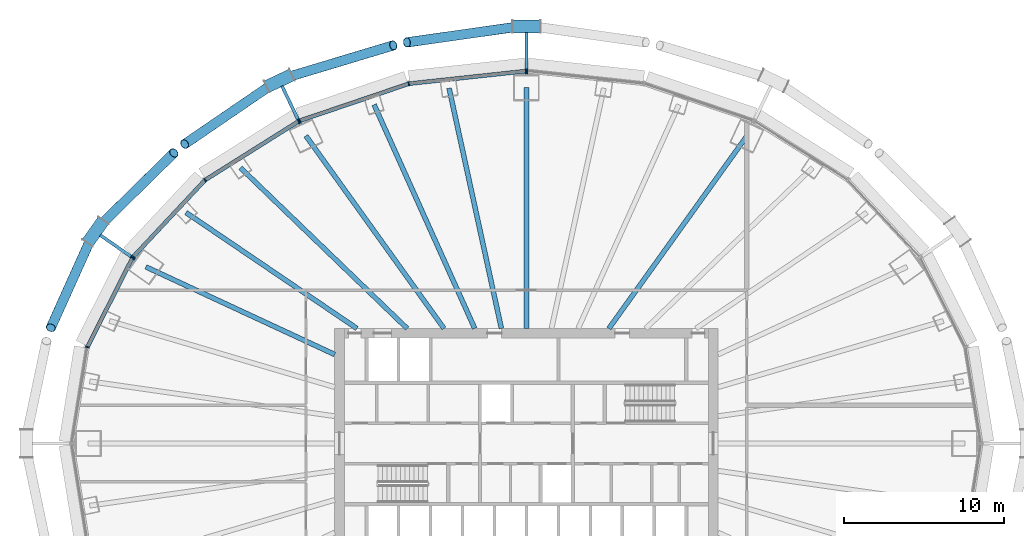
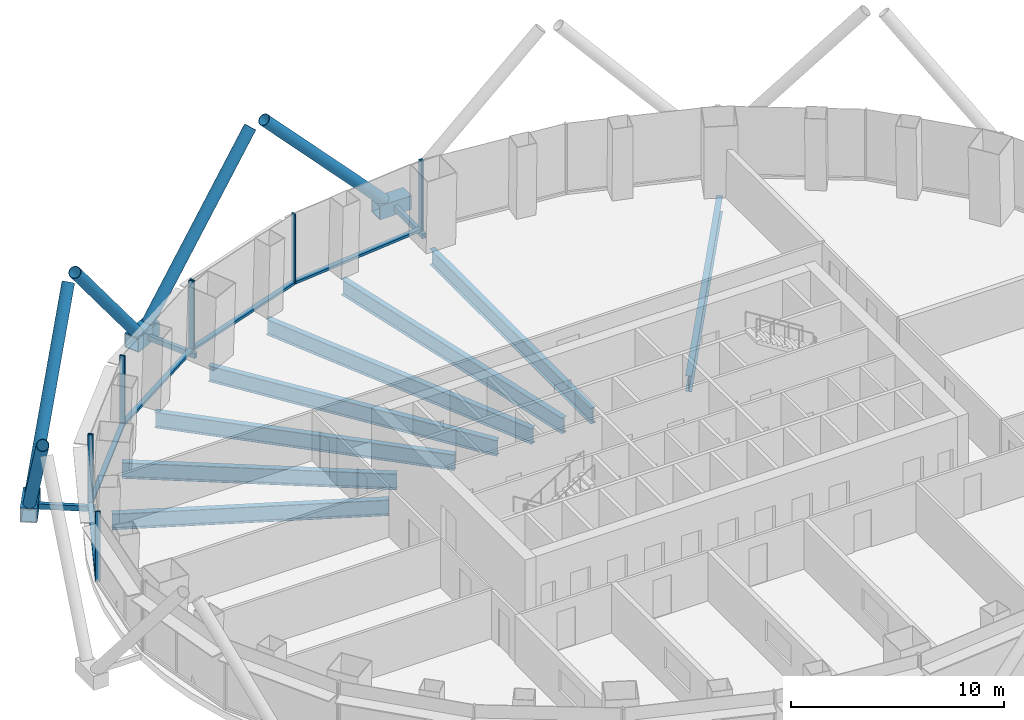
# One storey, part 4 of 16: 25 members, 8 beams, 4 elements without a shape of their own.
"""IFC4 building model written with IfcOpenShell, lengths in metres."""

from ifc_helpers import new_model, si_unit, direction, frame, origin, origin_2d, place, context, subcontext, project, spatial, rectangle, hollow_rectangle, hollow_circle, i_section, extrude, material, layer, layer_set, material_profile, profile_set, type_object, element, aggregate, save


model = new_model("IFC4")

# Units and contexts
model_context = context("Model", 3, precision=1e-05, world=origin(), true_north=direction((0.0, 1.0)))
body_context = subcontext(model_context, "Body", "Model", "MODEL_VIEW")
ifc_project = project(units=[si_unit("LENGTHUNIT", "METRE"), si_unit("AREAUNIT", "SQUARE_METRE"), si_unit("VOLUMEUNIT", "CUBIC_METRE"), si_unit("PLANEANGLEUNIT", "RADIAN"), si_unit("MASSUNIT", "GRAM", prefix="KILO")], contexts=[model_context])

# Site, building, storey
site_placement = place(None, origin())
site = spatial("IfcSite", under=ifc_project, at=site_placement, CompositionType="ELEMENT")
building_placement = place(site_placement, origin())
building = spatial("IfcBuilding", under=site, at=building_placement, Name="Siaravel Broadcast Tower", CompositionType="ELEMENT")
storey_placement = place(building_placement, frame((0.0, 0.0, 28.699951171875)))
storey = spatial("IfcBuildingStorey", under=building, at=storey_placement, Name="L05", CompositionType="ELEMENT", Elevation=28.699951171875)

# Beams
ifc_material_1 = material(Name="Steel S355", Category="steel")
ifc_material_profile_1 = material_profile(ifc_material_1, i_section(OverallWidth=0.30322265625, OverallDepth=0.903076171875, WebThickness=0.01513671875, FlangeThickness=0.020263671875, FilletRadius=0.01904296875, at=origin_2d()))
ifc_profile_set_1 = profile_set([ifc_material_profile_1], Name="Steel S355")
beam_type = type_object("IfcBeamType", Name="BM-UB 914x305x201", PredefinedType="BEAM", material=ifc_profile_set_1)
beam_1_placement = place(storey_placement, frame((13.80419921875, 19.25732421875, -0.8515625), z_axis=(-0.582605738, -0.812754917, 0.0), x_axis=(0.812754917, -0.582605738, 0.0)))
element("IfcBeam", 1, at=beam_1_placement, inside=storey, type_object=beam_type, Name="Radial beam RB07", PredefinedType="BEAM", context=body_context, shape_type="SweptSolid", body=[
    extrude(i_section(OverallWidth=0.30322265625, OverallDepth=0.903076171875, WebThickness=0.01513671875, FlangeThickness=0.020263671875, FilletRadius=0.01904296875, at=origin_2d()), origin(), (0.0, 0.0, 1.0), 14.835205078125),
])
beam_2_placement = place(storey_placement, frame((0.0, 22.284912109375, -0.8515625), z_axis=(0.0, -1.0, 0.0), x_axis=(1.0, 0.0, 0.0)))
element("IfcBeam", 2, at=beam_2_placement, inside=storey, type_object=beam_type, Name="Radial beam RB10", PredefinedType="BEAM", context=body_context, shape_type="SweptSolid", body=[
    extrude(i_section(OverallWidth=0.30322265625, OverallDepth=0.903076171875, WebThickness=0.01513671875, FlangeThickness=0.020263671875, FilletRadius=0.01904296875, at=origin_2d()), origin(), (0.0, 0.0, 1.0), 15.0849609375),
])
beam_3_placement = place(storey_placement, frame((-4.843017578125, 22.23779296875, -0.8515625), z_axis=(0.212789875, -0.977097983, 0.0), x_axis=(0.977097983, 0.212789875, 0.0)))
element("IfcBeam", 3, at=beam_3_placement, inside=storey, type_object=beam_type, Name="Radial beam RB11", PredefinedType="BEAM", context=body_context, shape_type="SweptSolid", body=[
    extrude(i_section(OverallWidth=0.30322265625, OverallDepth=0.903076171875, WebThickness=0.01513671875, FlangeThickness=0.020263671875, FilletRadius=0.01904296875, at=origin_2d()), origin(), (0.0, 0.0, 1.0), 15.390380859375),
])
beam_4_placement = place(storey_placement, frame((-9.535888671875, 21.2080078125, -0.8515625), z_axis=(0.41009169, -0.9120443, 0.0), x_axis=(0.9120443, 0.41009169, 0.0)))
element("IfcBeam", 4, at=beam_4_placement, inside=storey, type_object=beam_type, Name="Radial beam RB12", PredefinedType="BEAM", context=body_context, shape_type="SweptSolid", body=[
    extrude(i_section(OverallWidth=0.30322265625, OverallDepth=0.903076171875, WebThickness=0.01513671875, FlangeThickness=0.020263671875, FilletRadius=0.01904296875, at=origin_2d()), origin(), (0.0, 0.0, 1.0), 15.35888671875),
])
beam_5_placement = place(storey_placement, frame((-13.80419921875, 19.25732421875, -0.8515625), z_axis=(0.582605738, -0.812754917, 0.0), x_axis=(0.812754917, 0.582605738, 0.0)))
element("IfcBeam", 5, at=beam_5_placement, inside=storey, type_object=beam_type, Name="Radial beam RB13", PredefinedType="BEAM", context=body_context, shape_type="SweptSolid", body=[
    extrude(i_section(OverallWidth=0.30322265625, OverallDepth=0.903076171875, WebThickness=0.01513671875, FlangeThickness=0.020263671875, FilletRadius=0.01904296875, at=origin_2d()), origin(), (0.0, 0.0, 1.0), 14.835205078125),
])
beam_6_placement = place(storey_placement, frame((-17.897705078125, 17.25439453125, -0.8515625), z_axis=(0.719923086, -0.694053852, 0.0), x_axis=(0.694053852, 0.719923086, 0.0)))
element("IfcBeam", 6, at=beam_6_placement, inside=storey, type_object=beam_type, Name="Radial beam RB14", PredefinedType="BEAM", context=body_context, shape_type="SweptSolid", body=[
    extrude(i_section(OverallWidth=0.30322265625, OverallDepth=0.903076171875, WebThickness=0.01513671875, FlangeThickness=0.020263671875, FilletRadius=0.01904296875, at=origin_2d()), origin(), (0.0, 0.0, 1.0), 14.486572265625),
])
beam_7_placement = place(storey_placement, frame((-21.310791015625, 14.458984375, -0.8515625), z_axis=(0.827505228, -0.561458011, 0.0), x_axis=(0.561458011, 0.827505228, 0.0)))
element("IfcBeam", 7, at=beam_7_placement, inside=storey, type_object=beam_type, Name="Radial beam RB15", PredefinedType="BEAM", context=body_context, shape_type="SweptSolid", body=[
    extrude(i_section(OverallWidth=0.30322265625, OverallDepth=0.903076171875, WebThickness=0.01513671875, FlangeThickness=0.020263671875, FilletRadius=0.01904296875, at=origin_2d()), origin(), (0.0, 0.0, 1.0), 12.928955078125),
])
beam_8_placement = place(storey_placement, frame((-23.824951171875, 11.05859375, -0.8515625), z_axis=(0.907056733, -0.421008412, 0.0), x_axis=(0.421008412, 0.907056733, 0.0)))
element("IfcBeam", 8, at=beam_8_placement, inside=storey, type_object=beam_type, Name="Radial beam RB16", PredefinedType="BEAM", context=body_context, shape_type="SweptSolid", body=[
    extrude(i_section(OverallWidth=0.30322265625, OverallDepth=0.903076171875, WebThickness=0.01513671875, FlangeThickness=0.020263671875, FilletRadius=0.01904296875, at=origin_2d()), origin(), (0.0, 0.0, 1.0), 13.03662109375),
])

# Curtain wall, member
ifc_material_2 = material(Name="Aluminium 6063-T6", Category="aluminium")
ifc_layer = layer(ifc_material_2, 0.25)
ifc_layer_set = layer_set([ifc_layer], Name="Aluminium 6063-T6")
curtain_wall_type = type_object("IfcCurtainWallType", Name="Podium newsroom glazing", PredefinedType="NOTDEFINED", material=ifc_layer_set)
curtain_wall_1_placement = place(storey_placement, origin())
curtain_wall_1 = element("IfcCurtainWall", 9, at=curtain_wall_1_placement, inside=storey, type_object=curtain_wall_type, Name="L05 Podium newsroom glazing 03", PredefinedType="NOTDEFINED")
ifc_material_profile_2 = material_profile(ifc_material_2, rectangle(XDim=0.25, YDim=0.080078125, at=origin_2d()))
ifc_profile_set_2 = profile_set([ifc_material_profile_2], Name="Aluminium 6063-T6")
member_type_1 = type_object("IfcMemberType", Name="CW-PD mullion", PredefinedType="MULLION", material=ifc_profile_set_2)
member_1_placement = place(storey_placement, frame((0.039794921875, 23.311279296875, 0.0), z_axis=(0.0, 0.0, 1.0), x_axis=(-0.107217269, -0.994235615, 0.0)))
member_1 = element("IfcMember", 10, at=member_1_placement, type_object=member_type_1, Name="CW-PD mullion 3", PredefinedType="MULLION", context=body_context, shape_type="SweptSolid", body=[
    extrude(rectangle(XDim=0.25, YDim=0.080078125, at=origin_2d()), origin(), (0.0, 0.0, 1.0), 4.0),
])
aggregate(curtain_wall_1, [member_1])

# Curtain wall, members
curtain_wall_2_placement = place(storey_placement, origin())
curtain_wall_2 = element("IfcCurtainWall", 11, at=curtain_wall_2_placement, inside=storey, type_object=curtain_wall_type, Name="L05 Podium newsroom glazing 04", PredefinedType="NOTDEFINED")
member_2_placement = place(storey_placement, frame((-0.039794921875, 23.311279296875, 0.0), z_axis=(0.0, 0.0, 1.0), x_axis=(0.107217269, -0.994235615, 0.0)))
member_2 = element("IfcMember", 12, at=member_2_placement, type_object=member_type_1, Name="CW-PD mullion 1", PredefinedType="MULLION", context=body_context, shape_type="SweptSolid", body=[
    extrude(rectangle(XDim=0.25, YDim=0.080078125, at=origin_2d()), origin(), (0.0, 0.0, 1.0), 4.0),
])
member_3_placement = place(storey_placement, frame((-7.362060546875, 22.521728515625, 0.0), z_axis=(0.0, 0.0, 1.0), x_axis=(0.215557626, -0.976491121, 0.0)))
member_3 = element("IfcMember", 13, at=member_3_placement, type_object=member_type_1, Name="CW-PD mullion 2", PredefinedType="MULLION", context=body_context, shape_type="SweptSolid", body=[
    extrude(rectangle(XDim=0.25, YDim=0.080078125, at=origin_2d()), origin(), (0.0, 0.0, 1.0), 4.0),
])
member_4_placement = place(storey_placement, frame((-14.185302734375, 20.206787109375, 0.0), z_axis=(0.0, 0.0, 1.0), x_axis=(0.321299974, -0.946977469, 0.0)))
member_4 = element("IfcMember", 14, at=member_4_placement, type_object=member_type_1, Name="CW-PD mullion 3", PredefinedType="MULLION", context=body_context, shape_type="SweptSolid", body=[
    extrude(rectangle(XDim=0.25, YDim=0.080078125, at=origin_2d()), origin(), (0.0, 0.0, 1.0), 4.0),
])

curtain_wall_3_placement = place(storey_placement, origin())
curtain_wall_3 = element("IfcCurtainWall", 15, at=curtain_wall_3_placement, inside=storey, type_object=curtain_wall_type, Name="L05 Podium newsroom glazing 05", PredefinedType="NOTDEFINED")
member_5_placement = place(storey_placement, frame((-14.257080078125, 20.172607421875, 0.0), z_axis=(0.0, 0.0, 1.0), x_axis=(0.532148221, -0.84665121, 0.0)))
member_5 = element("IfcMember", 16, at=member_5_placement, type_object=member_type_1, Name="CW-PD mullion 1", PredefinedType="MULLION", context=body_context, shape_type="SweptSolid", body=[
    extrude(rectangle(XDim=0.25, YDim=0.080078125, at=origin_2d()), origin(), (0.0, 0.0, 1.0), 4.0),
])
member_6_placement = place(storey_placement, frame((-20.1162109375, 16.489990234375, 0.0), z_axis=(0.0, 0.0, 1.0), x_axis=(0.636217558, -0.771509701, 0.0)))
member_6 = element("IfcMember", 17, at=member_6_placement, type_object=member_type_1, Name="CW-PD mullion 2", PredefinedType="MULLION", context=body_context, shape_type="SweptSolid", body=[
    extrude(rectangle(XDim=0.25, YDim=0.080078125, at=origin_2d()), origin(), (0.0, 0.0, 1.0), 4.0),
])
member_7_placement = place(storey_placement, frame((-24.61181640625, 11.69091796875, 0.0), z_axis=(0.0, 0.0, 1.0), x_axis=(0.729804146, -0.68365628, 0.0)))
member_7 = element("IfcMember", 18, at=member_7_placement, type_object=member_type_1, Name="CW-PD mullion 3", PredefinedType="MULLION", context=body_context, shape_type="SweptSolid", body=[
    extrude(rectangle(XDim=0.25, YDim=0.080078125, at=origin_2d()), origin(), (0.0, 0.0, 1.0), 4.0),
])

curtain_wall_4_placement = place(storey_placement, origin())
curtain_wall_4 = element("IfcCurtainWall", 19, at=curtain_wall_4_placement, inside=storey, type_object=curtain_wall_type, Name="L05 Podium newsroom glazing 06", PredefinedType="NOTDEFINED")
member_8_placement = place(storey_placement, frame((-24.6572265625, 11.6259765625, 0.0), z_axis=(0.0, 0.0, 1.0), x_axis=(0.89239138, -0.451262258, 0.0)))
member_8 = element("IfcMember", 20, at=member_8_placement, type_object=member_type_1, Name="CW-PD mullion 1", PredefinedType="MULLION", context=body_context, shape_type="SweptSolid", body=[
    extrude(rectangle(XDim=0.25, YDim=0.080078125, at=origin_2d()), origin(), (0.0, 0.0, 1.0), 4.0),
])
member_9_placement = place(storey_placement, frame((-27.4833984375, 6.037109375, 0.0), z_axis=(0.0, 0.0, 1.0), x_axis=(0.951176868, -0.308646343, 0.0)))
member_9 = element("IfcMember", 21, at=member_9_placement, type_object=member_type_1, Name="CW-PD mullion 2", PredefinedType="MULLION", context=body_context, shape_type="SweptSolid", body=[
    extrude(rectangle(XDim=0.25, YDim=0.080078125, at=origin_2d()), origin(), (0.0, 0.0, 1.0), 4.0),
])

# Member
ifc_material_profile_3 = material_profile(ifc_material_2, rectangle(XDim=0.25, YDim=0.139892578125, at=origin_2d()))
ifc_profile_set_3 = profile_set([ifc_material_profile_3], Name="Aluminium 6063-T6")
member_type_2 = type_object("IfcMemberType", Name="CW-PD transom", PredefinedType="USERDEFINED", material=ifc_profile_set_3)
member_10_placement = place(storey_placement, frame((-0.07958984375, 23.30712890625, 0.070068359375), z_axis=(-0.994236146, -0.107212345, 0.0), x_axis=(0.107212345, -0.994236146, 0.0)))
member_10 = element("IfcMember", 22, at=member_10_placement, type_object=member_type_2, Name="CW-PD transom 1", ObjectType="TRANSOM", PredefinedType="USERDEFINED", context=body_context, shape_type="SweptSolid", body=[
    extrude(rectangle(XDim=0.25, YDim=0.139892578125, at=origin_2d()), origin(), (0.0, 0.0, 1.0), 7.28466796875),
])

member_11_placement = place(storey_placement, frame((-7.39990234375, 22.5087890625, 0.070068359375), z_axis=(-0.946980562, -0.321290858, 0.0), x_axis=(0.321290858, -0.946980562, 0.0)))
member_11 = element("IfcMember", 23, at=member_11_placement, type_object=member_type_2, Name="CW-PD transom 2", ObjectType="TRANSOM", PredefinedType="USERDEFINED", context=body_context, shape_type="SweptSolid", body=[
    extrude(rectangle(XDim=0.25, YDim=0.139892578125, at=origin_2d()), origin(), (0.0, 0.0, 1.0), 7.125244140625),
])

aggregate(curtain_wall_2, [member_2, member_3, member_4, member_10, member_11])

member_12_placement = place(storey_placement, frame((-14.291015625, 20.1513671875, 0.070068359375), z_axis=(-0.846642063, -0.532162774, 0.0), x_axis=(0.532162774, -0.846642063, 0.0)))
member_12 = element("IfcMember", 24, at=member_12_placement, type_object=member_type_2, Name="CW-PD transom 1", ObjectType="TRANSOM", PredefinedType="USERDEFINED", context=body_context, shape_type="SweptSolid", body=[
    extrude(rectangle(XDim=0.25, YDim=0.139892578125, at=origin_2d()), origin(), (0.0, 0.0, 1.0), 6.84033203125),
])

member_13_placement = place(storey_placement, frame((-20.143310546875, 16.460693359375, 0.070068359375), z_axis=(-0.683673548, -0.729787969, 0.0), x_axis=(0.729787969, -0.683673548, 0.0)))
member_13 = element("IfcMember", 25, at=member_13_placement, type_object=member_type_2, Name="CW-PD transom 2", ObjectType="TRANSOM", PredefinedType="USERDEFINED", context=body_context, shape_type="SweptSolid", body=[
    extrude(rectangle(XDim=0.25, YDim=0.139892578125, at=origin_2d()), origin(), (0.0, 0.0, 1.0), 6.49609375),
])

aggregate(curtain_wall_3, [member_5, member_6, member_7, member_12, member_13])

member_14_placement = place(storey_placement, frame((-24.67529296875, 11.59033203125, 0.070068359375), z_axis=(-0.451221003, -0.89241224, 0.0), x_axis=(0.89241224, -0.451221003, 0.0)))
member_14 = element("IfcMember", 26, at=member_14_placement, type_object=member_type_2, Name="CW-PD transom 1", ObjectType="TRANSOM", PredefinedType="USERDEFINED", context=body_context, shape_type="SweptSolid", body=[
    extrude(rectangle(XDim=0.25, YDim=0.139892578125, at=origin_2d()), origin(), (0.0, 0.0, 1.0), 6.182861328125),
])

aggregate(curtain_wall_4, [member_8, member_9, member_14])

# Members
ifc_material_3 = material(Name="Steel S460", Category="steel")
ifc_material_profile_4 = material_profile(ifc_material_3, hollow_circle(Radius=0.304931640625, WallThickness=0.02490234375, at=origin_2d()))
ifc_profile_set_4 = profile_set([ifc_material_profile_4], Name="Steel S460")
member_type_3 = type_object("IfcMemberType", Name="Diagrid diagonal CHS 610x25", PredefinedType="BRACE", material=ifc_profile_set_4)
member_15_placement = place(storey_placement, frame((-0.435546875, 26.108154296875, 0.170166015625), z_axis=(-0.673977872, -0.095838962, 0.732508513), x_axis=(0.140782746, -0.990040514, 0.0)))
element("IfcMember", 27, at=member_15_placement, inside=storey, type_object=member_type_3, Name="Diagrid diagonal R03 station 18A", PredefinedType="BRACE", context=body_context, shape_type="SweptSolid", body=[
    extrude(hollow_circle(Radius=0.304931640625, WallThickness=0.02490234375, at=origin_2d()), origin(), (0.0, 0.0, 1.0), 10.45703125),
])
member_16_placement = place(storey_placement, frame((-15.067626953125, 22.895263671875, 0.170166015625), z_axis=(0.647594304, 0.19465398, 0.736703092), x_axis=(-0.287857547, 0.957673239, 0.0)))
element("IfcMember", 28, at=member_16_placement, inside=storey, type_object=member_type_3, Name="Diagrid diagonal R03 station 24C", PredefinedType="BRACE", context=body_context, shape_type="SweptSolid", body=[
    extrude(hollow_circle(Radius=0.304931640625, WallThickness=0.02490234375, at=origin_2d()), origin(), (0.0, 0.0, 1.0), 10.3974609375),
])
member_17_placement = place(storey_placement, frame((-15.85498046875, 22.522705078125, 0.170166015625), z_axis=(-0.544071533, -0.371609584, 0.752258256), x_axis=(0.564011883, -0.825766672, 0.0)))
element("IfcMember", 29, at=member_17_placement, inside=storey, type_object=member_type_3, Name="Diagrid diagonal R03 station 24A", PredefinedType="BRACE", context=body_context, shape_type="SweptSolid", body=[
    extrude(hollow_circle(Radius=0.304931640625, WallThickness=0.02490234375, at=origin_2d()), origin(), (0.0, 0.0, 1.0), 10.1826171875),
])
member_18_placement = place(storey_placement, frame((-26.728759765625, 13.60791015625, 0.170166015625), z_axis=(0.462865916, 0.454814808, 0.760853885), x_axis=(-0.700876134, 0.713283005, 0.0)))
element("IfcMember", 30, at=member_18_placement, inside=storey, type_object=member_type_3, Name="Diagrid diagonal R03 station 30C", PredefinedType="BRACE", context=body_context, shape_type="SweptSolid", body=[
    extrude(hollow_circle(Radius=0.304931640625, WallThickness=0.02490234375, at=origin_2d()), origin(), (0.0, 0.0, 1.0), 10.067626953125),
])
member_19_placement = place(storey_placement, frame((-27.23046875, 12.89599609375, 0.170166015625), z_axis=(-0.257898381, -0.573655403, 0.777436752), x_axis=(0.912068139, -0.410038668, 0.0)))
element("IfcMember", 31, at=member_19_placement, inside=storey, type_object=member_type_3, Name="Diagrid diagonal R03 station 30A", PredefinedType="BRACE", context=body_context, shape_type="SweptSolid", body=[
    extrude(hollow_circle(Radius=0.304931640625, WallThickness=0.02490234375, at=origin_2d()), origin(), (0.0, 0.0, 1.0), 9.852783203125),
])
ifc_material_profile_5 = material_profile(ifc_material_3, hollow_rectangle(XDim=0.800048828125, YDim=0.800048828125, WallThickness=0.050048828125, at=origin_2d()))
ifc_profile_set_5 = profile_set([ifc_material_profile_5], Name="Steel S460")
member_type_4 = type_object("IfcMemberType", Name="Diagrid node BOX 800x800x50", PredefinedType="USERDEFINED", material=ifc_profile_set_5)
for number, where, z_axis, x_axis, name in (
    (32, (0.860595703125, 26.108154296875, -0.199951171875), (-1.0, 0.0, 0.0), (0.0, -1.0, 0.0), "Diagrid node R03 station 18"),
    (33, (-14.683349609375, 23.076904296875, -0.199951171875), (-0.904000505, -0.427531386, 0.0), (0.427531386, -0.904000505, 0.0), "Diagrid node R03 station 24"),
):
    element("IfcMember", number, at=place(storey_placement, frame(where, z_axis=z_axis, x_axis=x_axis)), inside=storey, type_object=member_type_4, Name=name, ObjectType="DIAGRID NODE", PredefinedType="USERDEFINED", context=body_context, shape_type="SweptSolid", body=[
        extrude(hollow_rectangle(XDim=0.800048828125, YDim=0.800048828125, WallThickness=0.050048828125, at=origin_2d()), origin(), (0.0, 0.0, 1.0), 1.72119140625),
    ])
member_20_placement = place(storey_placement, frame((-26.48388671875, 13.955322265625, -0.199951171875), z_axis=(-0.576087108, -0.817388307, 0.0), x_axis=(0.817388307, -0.576087108, 0.0)))
element("IfcMember", 34, at=member_20_placement, inside=storey, type_object=member_type_4, Name="Diagrid node R03 station 30", ObjectType="DIAGRID NODE", PredefinedType="USERDEFINED", context=body_context, shape_type="SweptSolid", body=[
    extrude(hollow_rectangle(XDim=0.800048828125, YDim=0.800048828125, WallThickness=0.050048828125, at=origin_2d()), origin(), (0.0, 0.0, 1.0), 1.720947265625),
])
ifc_material_profile_6 = material_profile(ifc_material_3, hollow_rectangle(XDim=0.199951171875, YDim=0.300048828125, WallThickness=0.012451171875, at=origin_2d()))
ifc_profile_set_6 = profile_set([ifc_material_profile_6], Name="Steel S460")
member_type_5 = type_object("IfcMemberType", Name="Diagrid node arm RHS 300x200x12.5", PredefinedType="STRUT", material=ifc_profile_set_6)
member_21_placement = place(storey_placement, frame((0.0, 23.0546875, -0.199951171875), z_axis=(0.0, 1.0, 0.0), x_axis=(-1.0, 0.0, 0.0)))
element("IfcMember", 35, at=member_21_placement, inside=storey, type_object=member_type_5, Name="Node arm R03 station 18", PredefinedType="STRUT", context=body_context, shape_type="SweptSolid", body=[
    extrude(hollow_rectangle(XDim=0.199951171875, YDim=0.300048828125, WallThickness=0.012451171875, at=origin_2d()), origin(), (0.0, 0.0, 1.0), 2.683349609375),
])
member_22_placement = place(storey_placement, frame((-14.137451171875, 19.951416015625, -0.199951171875), z_axis=(-0.432810761, 0.9014848, 0.0), x_axis=(-0.9014848, -0.432810761, 0.0)))
element("IfcMember", 36, at=member_22_placement, inside=storey, type_object=member_type_5, Name="Node arm R03 station 24", PredefinedType="STRUT", context=body_context, shape_type="SweptSolid", body=[
    extrude(hollow_rectangle(XDim=0.199951171875, YDim=0.300048828125, WallThickness=0.012451171875, at=origin_2d()), origin(), (0.0, 0.0, 1.0), 2.68896484375),
])
member_23_placement = place(storey_placement, frame((-24.457275390625, 11.498291015625, -0.199951171875), z_axis=(-0.821048822, 0.570857979, 0.0), x_axis=(-0.570857979, -0.821048822, 0.0)))
element("IfcMember", 37, at=member_23_placement, inside=storey, type_object=member_type_5, Name="Node arm R03 station 30", PredefinedType="STRUT", context=body_context, shape_type="SweptSolid", body=[
    extrude(hollow_rectangle(XDim=0.199951171875, YDim=0.300048828125, WallThickness=0.012451171875, at=origin_2d()), origin(), (0.0, 0.0, 1.0), 2.7021484375),
])

save(model, "model.ifc")
